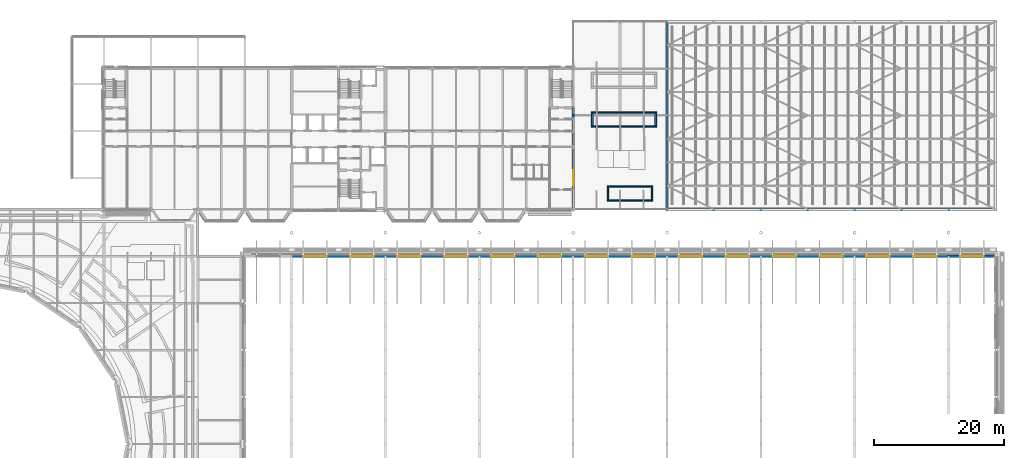
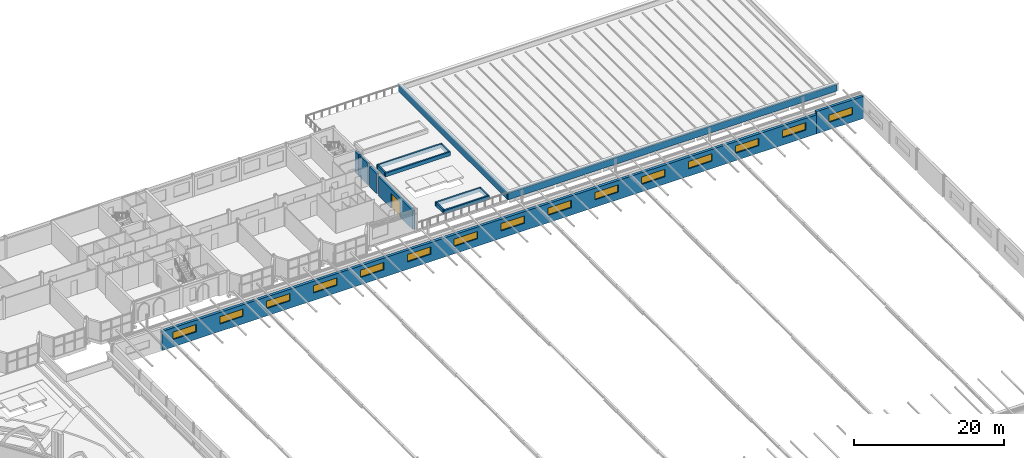
# One storey, part 46 of 110: 17 walls, 15 windows, 1 door, 16 openings.
"""IFC4 building model written with IfcOpenShell, lengths in metres."""

from ifc_helpers import new_model, si_unit, direction, frame, frame_2d, origin, place, context, subcontext, project, spatial, rectangle, extrude, material, layer, layer_set, type_object, element, fill, save


model = new_model("IFC4")

# Units and contexts
model_context = context("Model", 3, precision=1e-05, world=origin(), true_north=direction((0.0, 1.0)))
body_context = subcontext(model_context, "Body", "Model", "MODEL_VIEW")
ifc_project = project(units=[si_unit("LENGTHUNIT", "METRE"), si_unit("AREAUNIT", "SQUARE_METRE"), si_unit("VOLUMEUNIT", "CUBIC_METRE"), si_unit("PLANEANGLEUNIT", "RADIAN"), si_unit("MASSUNIT", "GRAM", prefix="KILO")], contexts=[model_context])

# Site, building, storey
site_placement = place(None, origin())
site = spatial("IfcSite", under=ifc_project, at=site_placement, CompositionType="ELEMENT")
building_placement = place(site_placement, origin())
building = spatial("IfcBuilding", under=site, at=building_placement, Name="Kupolbacken Congress Centre", CompositionType="ELEMENT")
storey_placement = place(building_placement, frame((0.0, 0.0, 18.0)))
storey = spatial("IfcBuildingStorey", under=building, at=storey_placement, Name="L05", CompositionType="ELEMENT", Elevation=18.0)

# Wall, opening, door
ifc_material_1 = material(Name="Brick", Category="masonry")
ifc_layer_1 = layer(ifc_material_1, 0.10791015625)
ifc_material_2 = material(Name="Air cavity", Category="air")
ifc_layer_2 = layer(ifc_material_2, 0.050048828125, ventilated=True)
ifc_material_3 = material(Name="Mineral wool", Category="insulation")
ifc_layer_3 = layer(ifc_material_3, 0.1298828125)
ifc_material_4 = material(Name="Steel studs", Category="metal")
ifc_layer_4 = layer(ifc_material_4, 0.052001953125)
ifc_layer_set_1 = layer_set([ifc_layer_1, ifc_layer_2, ifc_layer_3, ifc_layer_4], Name="Brick / Mineral wool / Steel studs")
wall_type_1 = type_object("IfcWallType", Name="EW02 external cavity wall 340", PredefinedType="SOLIDWALL", material=ifc_layer_set_1)
wall_1_placement = place(storey_placement, frame((136.800048828125, 122.625, 0.0), z_axis=(0.0, 0.0, 1.0), x_axis=(0.0, 1.0, 0.0)))
wall_1 = element("IfcWall", 1, at=wall_1_placement, inside=storey, type_object=wall_type_1, Name="E/T/E/L05/061", PredefinedType="SOLIDWALL", context=body_context, shape_type="SweptSolid", body=[
    extrude(rectangle(XDim=9.14990234375, YDim=0.340087890625, at=frame_2d((4.574951171875, 0.0))), origin(), (0.0, 0.0, 1.0), 3.06005859375),
])
opening_1_placement = place(wall_1_placement, frame((3.375, 0.0, 0.0)))
opening_1 = element("IfcOpeningElement", 2, at=opening_1_placement, cuts=wall_1, Name="Opening D18", PredefinedType="OPENING", context=body_context, shape_type="SweptSolid", body=[
    extrude(rectangle(XDim=2.39990234375, YDim=2.39990234375, at=frame_2d((1.199951171875, 1.199951171875))), frame((0.0, 0.179931640625, 0.0), z_axis=(0.0, -1.0, 0.0), x_axis=(1.0, 0.0, 0.0)), (0.0, 0.0, 1.0), 0.360107421875),
])
ifc_material_5 = material(Name="Timber door leaf", Category="wood")
door_type = type_object("IfcDoorType", Name="D18 door 2400x2400", OperationType="DOUBLE_DOOR_SINGLE_SWING", PredefinedType="DOOR", material=ifc_material_5)
door_placement = place(opening_1_placement, frame((2.39990234375, 0.0, 0.0), z_axis=(0.0, 0.0, 1.0), x_axis=(-1.0, 0.0, 0.0)))
door = element("IfcDoor", 3, at=door_placement, inside=storey, type_object=door_type, Name="E/T/E/L05/061/DTD-BF", OperationType="DOUBLE_DOOR_SINGLE_SWING", OverallHeight=2.39990234375, OverallWidth=2.39990234375, PredefinedType="DOOR", context=body_context, shape_type="SweptSolid", body=[
    extrude(rectangle(XDim=2.39990234375, YDim=2.39990234375, at=frame_2d((1.199951171875, 1.199951171875))), frame((0.0, 0.02490234375, 0.0), z_axis=(0.0, -1.0, 0.0), x_axis=(1.0, 0.0, 0.0)), (0.0, 0.0, 1.0), 0.050048828125),
])
fill(opening_1, door)

# Walls
wall_2_placement = place(storey_placement, frame((136.800048828125, 132.22509765625, 0.0), z_axis=(0.0, 0.0, 1.0), x_axis=(0.0, 1.0, 0.0)))
element("IfcWall", 4, at=wall_2_placement, inside=storey, type_object=wall_type_1, Name="E/T/E/L05/062", PredefinedType="SOLIDWALL", context=body_context, shape_type="SweptSolid", body=[
    extrude(rectangle(XDim=1.949951171875, YDim=0.340087890625, at=frame_2d((0.97509765625, 0.0))), origin(), (0.0, 0.0, 1.0), 3.260009765625),
])
wall_3_placement = place(storey_placement, frame((136.800048828125, 134.625, 0.0), z_axis=(0.0, 0.0, 1.0), x_axis=(0.0, 1.0, 0.0)))
element("IfcWall", 5, at=wall_3_placement, inside=storey, type_object=wall_type_1, Name="E/T/E/L05/063", PredefinedType="SOLIDWALL", context=body_context, shape_type="SweptSolid", body=[
    extrude(rectangle(XDim=1.949951171875, YDim=0.340087890625, at=frame_2d((0.97509765625, 0.0))), origin(), (0.0, 0.0, 1.0), 3.4599609375),
])
wall_4_placement = place(storey_placement, frame((136.800048828125, 137.02490234375, 0.0), z_axis=(0.0, 0.0, 1.0), x_axis=(0.0, 1.0, 0.0)))
element("IfcWall", 6, at=wall_4_placement, inside=storey, type_object=wall_type_1, Name="E/T/E/L05/064", PredefinedType="SOLIDWALL", context=body_context, shape_type="SweptSolid", body=[
    extrude(rectangle(XDim=0.97509765625, YDim=0.340087890625, at=frame_2d((0.487548828125, 0.0))), origin(), (0.0, 0.0, 1.0), 3.4599609375),
])
wall_5_placement = place(storey_placement, frame((136.800048828125, 136.574951171875, 0.0), z_axis=(0.0, 0.0, 1.0), x_axis=(0.0, 1.0, 0.0)))
element("IfcWall", 7, at=wall_5_placement, inside=storey, type_object=wall_type_1, Name="E/T/gapfill/E/L05/001", PredefinedType="SOLIDWALL", context=body_context, shape_type="SweptSolid", body=[
    extrude(rectangle(XDim=0.449951171875, YDim=0.340087890625, at=frame_2d((0.22509765625, 0.0))), origin(), (0.0, 0.0, 1.0), 3.4599609375),
])

# Wall, opening, window
ifc_layer_5 = layer(ifc_material_1, 0.10791015625)
ifc_layer_6 = layer(ifc_material_2, 0.0400390625, ventilated=True)
ifc_layer_7 = layer(ifc_material_3, 0.152099609375)
ifc_material_6 = material(Name="Concrete block", Category="masonry")
ifc_layer_8 = layer(ifc_material_6, 0.1201171875)
ifc_layer_set_2 = layer_set([ifc_layer_5, ifc_layer_6, ifc_layer_7, ifc_layer_8], Name="Brick / Mineral wool / Concrete block")
wall_type_2 = type_object("IfcWallType", Name="EW04 external cavity wall 420", PredefinedType="SOLIDWALL", material=ifc_layer_set_2)
wall_6_placement = place(storey_placement, frame((201.449951171875, 115.199951171875, 0.0), z_axis=(0.0, 0.0, 1.0), x_axis=(-1.0, 0.0, 0.0)))
wall_6 = element("IfcWall", 8, at=wall_6_placement, inside=storey, type_object=wall_type_2, Name="E/H/N/L05/467", PredefinedType="SOLIDWALL", context=body_context, shape_type="SweptSolid", body=[
    extrude(rectangle(XDim=7.195068359375, YDim=0.419921875, at=frame_2d((3.59765625, 0.0))), origin(), (0.0, 0.0, 1.0), 3.60009765625),
])
opening_2_placement = place(wall_6_placement, frame((1.64990234375, 0.0, 1.199951171875)))
opening_2 = element("IfcOpeningElement", 9, at=opening_2_placement, cuts=wall_6, Name="Opening W12", PredefinedType="OPENING", context=body_context, shape_type="SweptSolid", body=[
    extrude(rectangle(XDim=3.60009765625, YDim=1.199951171875, at=frame_2d((1.800048828125, 0.60009765625))), frame((0.0, 0.219970703125, 0.0), z_axis=(0.0, -1.0, 0.0), x_axis=(1.0, 0.0, 0.0)), (0.0, 0.0, 1.0), 0.43994140625),
])
ifc_material_7 = material(Name="Aluminium frame with double or triple glazing", Category="aluminium")
window_type = type_object("IfcWindowType", Name="W12 window 3600x1200", PartitioningType="TRIPLE_PANEL_VERTICAL", PredefinedType="WINDOW", material=ifc_material_7)
window_1_placement = place(opening_2_placement, origin())
window_1 = element("IfcWindow", 10, at=window_1_placement, inside=storey, type_object=window_type, Name="E/H/N/L05/467/W16", OverallHeight=1.199951171875, OverallWidth=3.60009765625, PartitioningType="SINGLE_PANEL", PredefinedType="WINDOW", context=body_context, shape_type="SweptSolid", body=[
    extrude(rectangle(XDim=3.60009765625, YDim=1.199951171875, at=frame_2d((1.800048828125, 0.60009765625))), frame((0.0, 0.030029296875, 0.0), z_axis=(0.0, -1.0, 0.0), x_axis=(1.0, 0.0, 0.0)), (0.0, 0.0, 1.0), 0.06005859375),
])
fill(opening_2, window_1)

# Wall, openings, windows
wall_7_placement = place(storey_placement, frame((194.2548828125, 115.199951171875, 0.0), z_axis=(0.0, 0.0, 1.0), x_axis=(-1.0, 0.0, 0.0)))
wall_7 = element("IfcWall", 11, at=wall_7_placement, inside=storey, type_object=wall_type_2, Name="E/H/N/L05/467.h1", PredefinedType="SOLIDWALL", context=body_context, shape_type="SweptSolid", body=[
    extrude(rectangle(XDim=100.509765625, YDim=0.419921875, at=frame_2d((50.2548828125, 0.0))), origin(), (0.0, 0.0, 1.0), 3.10009765625),
])
opening_3_placement = place(wall_7_placement, frame((95.2548828125, 0.0, 1.199951171875)))
opening_3 = element("IfcOpeningElement", 12, at=opening_3_placement, cuts=wall_7, Name="Opening W12", PredefinedType="OPENING", context=body_context, shape_type="SweptSolid", body=[
    extrude(rectangle(XDim=3.60009765625, YDim=1.199951171875, at=frame_2d((1.800048828125, 0.60009765625))), frame((0.0, 0.219970703125, 0.0), z_axis=(0.0, -1.0, 0.0), x_axis=(1.0, 0.0, 0.0)), (0.0, 0.0, 1.0), 0.43994140625),
])
opening_4_placement = place(wall_7_placement, frame((88.054931640625, 0.0, 1.199951171875)))
opening_4 = element("IfcOpeningElement", 13, at=opening_4_placement, cuts=wall_7, Name="Opening W12", PredefinedType="OPENING", context=body_context, shape_type="SweptSolid", body=[
    extrude(rectangle(XDim=3.60009765625, YDim=1.199951171875, at=frame_2d((1.800048828125, 0.60009765625))), frame((0.0, 0.219970703125, 0.0), z_axis=(0.0, -1.0, 0.0), x_axis=(1.0, 0.0, 0.0)), (0.0, 0.0, 1.0), 0.43994140625),
])
opening_5_placement = place(wall_7_placement, frame((80.85498046875, 0.0, 1.199951171875)))
opening_5 = element("IfcOpeningElement", 14, at=opening_5_placement, cuts=wall_7, Name="Opening W12", PredefinedType="OPENING", context=body_context, shape_type="SweptSolid", body=[
    extrude(rectangle(XDim=3.60009765625, YDim=1.199951171875, at=frame_2d((1.800048828125, 0.60009765625))), frame((0.0, 0.219970703125, 0.0), z_axis=(0.0, -1.0, 0.0), x_axis=(1.0, 0.0, 0.0)), (0.0, 0.0, 1.0), 0.43994140625),
])
opening_6_placement = place(wall_7_placement, frame((73.655029296875, 0.0, 1.199951171875)))
opening_6 = element("IfcOpeningElement", 15, at=opening_6_placement, cuts=wall_7, Name="Opening W12", PredefinedType="OPENING", context=body_context, shape_type="SweptSolid", body=[
    extrude(rectangle(XDim=3.60009765625, YDim=1.199951171875, at=frame_2d((1.800048828125, 0.60009765625))), frame((0.0, 0.219970703125, 0.0), z_axis=(0.0, -1.0, 0.0), x_axis=(1.0, 0.0, 0.0)), (0.0, 0.0, 1.0), 0.43994140625),
])
opening_7_placement = place(wall_7_placement, frame((66.455078125, 0.0, 1.199951171875)))
opening_7 = element("IfcOpeningElement", 16, at=opening_7_placement, cuts=wall_7, Name="Opening W12", PredefinedType="OPENING", context=body_context, shape_type="SweptSolid", body=[
    extrude(rectangle(XDim=3.60009765625, YDim=1.199951171875, at=frame_2d((1.800048828125, 0.60009765625))), frame((0.0, 0.219970703125, 0.0), z_axis=(0.0, -1.0, 0.0), x_axis=(1.0, 0.0, 0.0)), (0.0, 0.0, 1.0), 0.43994140625),
])
opening_8_placement = place(wall_7_placement, frame((59.2548828125, 0.0, 1.199951171875)))
opening_8 = element("IfcOpeningElement", 17, at=opening_8_placement, cuts=wall_7, Name="Opening W12", PredefinedType="OPENING", context=body_context, shape_type="SweptSolid", body=[
    extrude(rectangle(XDim=3.60009765625, YDim=1.199951171875, at=frame_2d((1.800048828125, 0.60009765625))), frame((0.0, 0.219970703125, 0.0), z_axis=(0.0, -1.0, 0.0), x_axis=(1.0, 0.0, 0.0)), (0.0, 0.0, 1.0), 0.43994140625),
])
opening_9_placement = place(wall_7_placement, frame((52.054931640625, 0.0, 1.199951171875)))
opening_9 = element("IfcOpeningElement", 18, at=opening_9_placement, cuts=wall_7, Name="Opening W12", PredefinedType="OPENING", context=body_context, shape_type="SweptSolid", body=[
    extrude(rectangle(XDim=3.60009765625, YDim=1.199951171875, at=frame_2d((1.800048828125, 0.60009765625))), frame((0.0, 0.219970703125, 0.0), z_axis=(0.0, -1.0, 0.0), x_axis=(1.0, 0.0, 0.0)), (0.0, 0.0, 1.0), 0.43994140625),
])
opening_10_placement = place(wall_7_placement, frame((44.85498046875, 0.0, 1.199951171875)))
opening_10 = element("IfcOpeningElement", 19, at=opening_10_placement, cuts=wall_7, Name="Opening W12", PredefinedType="OPENING", context=body_context, shape_type="SweptSolid", body=[
    extrude(rectangle(XDim=3.60009765625, YDim=1.199951171875, at=frame_2d((1.800048828125, 0.60009765625))), frame((0.0, 0.219970703125, 0.0), z_axis=(0.0, -1.0, 0.0), x_axis=(1.0, 0.0, 0.0)), (0.0, 0.0, 1.0), 0.43994140625),
])
opening_11_placement = place(wall_7_placement, frame((37.655029296875, 0.0, 1.199951171875)))
opening_11 = element("IfcOpeningElement", 20, at=opening_11_placement, cuts=wall_7, Name="Opening W12", PredefinedType="OPENING", context=body_context, shape_type="SweptSolid", body=[
    extrude(rectangle(XDim=3.60009765625, YDim=1.199951171875, at=frame_2d((1.800048828125, 0.60009765625))), frame((0.0, 0.219970703125, 0.0), z_axis=(0.0, -1.0, 0.0), x_axis=(1.0, 0.0, 0.0)), (0.0, 0.0, 1.0), 0.43994140625),
])
opening_12_placement = place(wall_7_placement, frame((30.455078125, 0.0, 1.199951171875)))
opening_12 = element("IfcOpeningElement", 21, at=opening_12_placement, cuts=wall_7, Name="Opening W12", PredefinedType="OPENING", context=body_context, shape_type="SweptSolid", body=[
    extrude(rectangle(XDim=3.60009765625, YDim=1.199951171875, at=frame_2d((1.800048828125, 0.60009765625))), frame((0.0, 0.219970703125, 0.0), z_axis=(0.0, -1.0, 0.0), x_axis=(1.0, 0.0, 0.0)), (0.0, 0.0, 1.0), 0.43994140625),
])
opening_13_placement = place(wall_7_placement, frame((23.2548828125, 0.0, 1.199951171875)))
opening_13 = element("IfcOpeningElement", 22, at=opening_13_placement, cuts=wall_7, Name="Opening W12", PredefinedType="OPENING", context=body_context, shape_type="SweptSolid", body=[
    extrude(rectangle(XDim=3.60009765625, YDim=1.199951171875, at=frame_2d((1.800048828125, 0.60009765625))), frame((0.0, 0.219970703125, 0.0), z_axis=(0.0, -1.0, 0.0), x_axis=(1.0, 0.0, 0.0)), (0.0, 0.0, 1.0), 0.43994140625),
])
opening_14_placement = place(wall_7_placement, frame((16.054931640625, 0.0, 1.199951171875)))
opening_14 = element("IfcOpeningElement", 23, at=opening_14_placement, cuts=wall_7, Name="Opening W12", PredefinedType="OPENING", context=body_context, shape_type="SweptSolid", body=[
    extrude(rectangle(XDim=3.60009765625, YDim=1.199951171875, at=frame_2d((1.800048828125, 0.60009765625))), frame((0.0, 0.219970703125, 0.0), z_axis=(0.0, -1.0, 0.0), x_axis=(1.0, 0.0, 0.0)), (0.0, 0.0, 1.0), 0.43994140625),
])
opening_15_placement = place(wall_7_placement, frame((8.85498046875, 0.0, 1.199951171875)))
opening_15 = element("IfcOpeningElement", 24, at=opening_15_placement, cuts=wall_7, Name="Opening W12", PredefinedType="OPENING", context=body_context, shape_type="SweptSolid", body=[
    extrude(rectangle(XDim=3.60009765625, YDim=1.199951171875, at=frame_2d((1.800048828125, 0.60009765625))), frame((0.0, 0.219970703125, 0.0), z_axis=(0.0, -1.0, 0.0), x_axis=(1.0, 0.0, 0.0)), (0.0, 0.0, 1.0), 0.43994140625),
])
opening_16_placement = place(wall_7_placement, frame((1.655029296875, 0.0, 1.199951171875)))
opening_16 = element("IfcOpeningElement", 25, at=opening_16_placement, cuts=wall_7, Name="Opening W12", PredefinedType="OPENING", context=body_context, shape_type="SweptSolid", body=[
    extrude(rectangle(XDim=3.60009765625, YDim=1.199951171875, at=frame_2d((1.800048828125, 0.60009765625))), frame((0.0, 0.219970703125, 0.0), z_axis=(0.0, -1.0, 0.0), x_axis=(1.0, 0.0, 0.0)), (0.0, 0.0, 1.0), 0.43994140625),
])
window_2_placement = place(opening_3_placement, origin())
window_2 = element("IfcWindow", 26, at=window_2_placement, inside=storey, type_object=window_type, Name="E/H/N/L05/467/W2", OverallHeight=1.199951171875, OverallWidth=3.60009765625, PartitioningType="SINGLE_PANEL", PredefinedType="WINDOW", context=body_context, shape_type="SweptSolid", body=[
    extrude(rectangle(XDim=3.60009765625, YDim=1.199951171875, at=frame_2d((1.800048828125, 0.60009765625))), frame((0.0, 0.030029296875, 0.0), z_axis=(0.0, -1.0, 0.0), x_axis=(1.0, 0.0, 0.0)), (0.0, 0.0, 1.0), 0.06005859375),
])
fill(opening_3, window_2)
window_3_placement = place(opening_4_placement, origin())
window_3 = element("IfcWindow", 27, at=window_3_placement, inside=storey, type_object=window_type, Name="E/H/N/L05/467/W3", OverallHeight=1.199951171875, OverallWidth=3.60009765625, PartitioningType="SINGLE_PANEL", PredefinedType="WINDOW", context=body_context, shape_type="SweptSolid", body=[
    extrude(rectangle(XDim=3.60009765625, YDim=1.199951171875, at=frame_2d((1.800048828125, 0.60009765625))), frame((0.0, 0.030029296875, 0.0), z_axis=(0.0, -1.0, 0.0), x_axis=(1.0, 0.0, 0.0)), (0.0, 0.0, 1.0), 0.06005859375),
])
fill(opening_4, window_3)
window_4_placement = place(opening_5_placement, origin())
window_4 = element("IfcWindow", 28, at=window_4_placement, inside=storey, type_object=window_type, Name="E/H/N/L05/467/W4", OverallHeight=1.199951171875, OverallWidth=3.60009765625, PartitioningType="SINGLE_PANEL", PredefinedType="WINDOW", context=body_context, shape_type="SweptSolid", body=[
    extrude(rectangle(XDim=3.60009765625, YDim=1.199951171875, at=frame_2d((1.800048828125, 0.60009765625))), frame((0.0, 0.030029296875, 0.0), z_axis=(0.0, -1.0, 0.0), x_axis=(1.0, 0.0, 0.0)), (0.0, 0.0, 1.0), 0.06005859375),
])
fill(opening_5, window_4)
window_5_placement = place(opening_6_placement, origin())
window_5 = element("IfcWindow", 29, at=window_5_placement, inside=storey, type_object=window_type, Name="E/H/N/L05/467/W5", OverallHeight=1.199951171875, OverallWidth=3.60009765625, PartitioningType="SINGLE_PANEL", PredefinedType="WINDOW", context=body_context, shape_type="SweptSolid", body=[
    extrude(rectangle(XDim=3.60009765625, YDim=1.199951171875, at=frame_2d((1.800048828125, 0.60009765625))), frame((0.0, 0.030029296875, 0.0), z_axis=(0.0, -1.0, 0.0), x_axis=(1.0, 0.0, 0.0)), (0.0, 0.0, 1.0), 0.06005859375),
])
fill(opening_6, window_5)
window_6_placement = place(opening_7_placement, origin())
window_6 = element("IfcWindow", 30, at=window_6_placement, inside=storey, type_object=window_type, Name="E/H/N/L05/467/W6", OverallHeight=1.199951171875, OverallWidth=3.60009765625, PartitioningType="SINGLE_PANEL", PredefinedType="WINDOW", context=body_context, shape_type="SweptSolid", body=[
    extrude(rectangle(XDim=3.60009765625, YDim=1.199951171875, at=frame_2d((1.800048828125, 0.60009765625))), frame((0.0, 0.030029296875, 0.0), z_axis=(0.0, -1.0, 0.0), x_axis=(1.0, 0.0, 0.0)), (0.0, 0.0, 1.0), 0.06005859375),
])
fill(opening_7, window_6)
window_7_placement = place(opening_8_placement, origin())
window_7 = element("IfcWindow", 31, at=window_7_placement, inside=storey, type_object=window_type, Name="E/H/N/L05/467/W7", OverallHeight=1.199951171875, OverallWidth=3.60009765625, PartitioningType="SINGLE_PANEL", PredefinedType="WINDOW", context=body_context, shape_type="SweptSolid", body=[
    extrude(rectangle(XDim=3.60009765625, YDim=1.199951171875, at=frame_2d((1.800048828125, 0.60009765625))), frame((0.0, 0.030029296875, 0.0), z_axis=(0.0, -1.0, 0.0), x_axis=(1.0, 0.0, 0.0)), (0.0, 0.0, 1.0), 0.06005859375),
])
fill(opening_8, window_7)
window_8_placement = place(opening_9_placement, origin())
window_8 = element("IfcWindow", 32, at=window_8_placement, inside=storey, type_object=window_type, Name="E/H/N/L05/467/W8", OverallHeight=1.199951171875, OverallWidth=3.60009765625, PartitioningType="SINGLE_PANEL", PredefinedType="WINDOW", context=body_context, shape_type="SweptSolid", body=[
    extrude(rectangle(XDim=3.60009765625, YDim=1.199951171875, at=frame_2d((1.800048828125, 0.60009765625))), frame((0.0, 0.030029296875, 0.0), z_axis=(0.0, -1.0, 0.0), x_axis=(1.0, 0.0, 0.0)), (0.0, 0.0, 1.0), 0.06005859375),
])
fill(opening_9, window_8)
window_9_placement = place(opening_10_placement, origin())
window_9 = element("IfcWindow", 33, at=window_9_placement, inside=storey, type_object=window_type, Name="E/H/N/L05/467/W9", OverallHeight=1.199951171875, OverallWidth=3.60009765625, PartitioningType="SINGLE_PANEL", PredefinedType="WINDOW", context=body_context, shape_type="SweptSolid", body=[
    extrude(rectangle(XDim=3.60009765625, YDim=1.199951171875, at=frame_2d((1.800048828125, 0.60009765625))), frame((0.0, 0.030029296875, 0.0), z_axis=(0.0, -1.0, 0.0), x_axis=(1.0, 0.0, 0.0)), (0.0, 0.0, 1.0), 0.06005859375),
])
fill(opening_10, window_9)
window_10_placement = place(opening_11_placement, origin())
window_10 = element("IfcWindow", 34, at=window_10_placement, inside=storey, type_object=window_type, Name="E/H/N/L05/467/W10", OverallHeight=1.199951171875, OverallWidth=3.60009765625, PartitioningType="SINGLE_PANEL", PredefinedType="WINDOW", context=body_context, shape_type="SweptSolid", body=[
    extrude(rectangle(XDim=3.60009765625, YDim=1.199951171875, at=frame_2d((1.800048828125, 0.60009765625))), frame((0.0, 0.030029296875, 0.0), z_axis=(0.0, -1.0, 0.0), x_axis=(1.0, 0.0, 0.0)), (0.0, 0.0, 1.0), 0.06005859375),
])
fill(opening_11, window_10)
window_11_placement = place(opening_12_placement, origin())
window_11 = element("IfcWindow", 35, at=window_11_placement, inside=storey, type_object=window_type, Name="E/H/N/L05/467/W11", OverallHeight=1.199951171875, OverallWidth=3.60009765625, PartitioningType="SINGLE_PANEL", PredefinedType="WINDOW", context=body_context, shape_type="SweptSolid", body=[
    extrude(rectangle(XDim=3.60009765625, YDim=1.199951171875, at=frame_2d((1.800048828125, 0.60009765625))), frame((0.0, 0.030029296875, 0.0), z_axis=(0.0, -1.0, 0.0), x_axis=(1.0, 0.0, 0.0)), (0.0, 0.0, 1.0), 0.06005859375),
])
fill(opening_12, window_11)
window_12_placement = place(opening_13_placement, origin())
window_12 = element("IfcWindow", 36, at=window_12_placement, inside=storey, type_object=window_type, Name="E/H/N/L05/467/W12", OverallHeight=1.199951171875, OverallWidth=3.60009765625, PartitioningType="SINGLE_PANEL", PredefinedType="WINDOW", context=body_context, shape_type="SweptSolid", body=[
    extrude(rectangle(XDim=3.60009765625, YDim=1.199951171875, at=frame_2d((1.800048828125, 0.60009765625))), frame((0.0, 0.030029296875, 0.0), z_axis=(0.0, -1.0, 0.0), x_axis=(1.0, 0.0, 0.0)), (0.0, 0.0, 1.0), 0.06005859375),
])
fill(opening_13, window_12)
window_13_placement = place(opening_14_placement, origin())
window_13 = element("IfcWindow", 37, at=window_13_placement, inside=storey, type_object=window_type, Name="E/H/N/L05/467/W13", OverallHeight=1.199951171875, OverallWidth=3.60009765625, PartitioningType="SINGLE_PANEL", PredefinedType="WINDOW", context=body_context, shape_type="SweptSolid", body=[
    extrude(rectangle(XDim=3.60009765625, YDim=1.199951171875, at=frame_2d((1.800048828125, 0.60009765625))), frame((0.0, 0.030029296875, 0.0), z_axis=(0.0, -1.0, 0.0), x_axis=(1.0, 0.0, 0.0)), (0.0, 0.0, 1.0), 0.06005859375),
])
fill(opening_14, window_13)
window_14_placement = place(opening_15_placement, origin())
window_14 = element("IfcWindow", 38, at=window_14_placement, inside=storey, type_object=window_type, Name="E/H/N/L05/467/W14", OverallHeight=1.199951171875, OverallWidth=3.60009765625, PartitioningType="SINGLE_PANEL", PredefinedType="WINDOW", context=body_context, shape_type="SweptSolid", body=[
    extrude(rectangle(XDim=3.60009765625, YDim=1.199951171875, at=frame_2d((1.800048828125, 0.60009765625))), frame((0.0, 0.030029296875, 0.0), z_axis=(0.0, -1.0, 0.0), x_axis=(1.0, 0.0, 0.0)), (0.0, 0.0, 1.0), 0.06005859375),
])
fill(opening_15, window_14)
window_15_placement = place(opening_16_placement, origin())
window_15 = element("IfcWindow", 39, at=window_15_placement, inside=storey, type_object=window_type, Name="E/H/N/L05/467/W15", OverallHeight=1.199951171875, OverallWidth=3.60009765625, PartitioningType="SINGLE_PANEL", PredefinedType="WINDOW", context=body_context, shape_type="SweptSolid", body=[
    extrude(rectangle(XDim=3.60009765625, YDim=1.199951171875, at=frame_2d((1.800048828125, 0.60009765625))), frame((0.0, 0.030029296875, 0.0), z_axis=(0.0, -1.0, 0.0), x_axis=(1.0, 0.0, 0.0)), (0.0, 0.0, 1.0), 0.06005859375),
])
fill(opening_16, window_15)

# Walls
ifc_material_8 = material(Name="Concrete C30/37", Category="concrete")
ifc_layer_9 = layer(ifc_material_8, 0.25)
ifc_layer_set_3 = layer_set([ifc_layer_9], Name="Concrete C30/37")
wall_type_3 = type_object("IfcWallType", Name="PT1 planter wall 250", PredefinedType="SOLIDWALL", material=ifc_layer_set_3)
wall_8_placement = place(storey_placement, frame((142.0, 123.72509765625, 0.0), z_axis=(0.0, 0.0, 1.0), x_axis=(1.0, 0.0, 0.0)))
element("IfcWall", 40, at=wall_8_placement, inside=storey, type_object=wall_type_3, Name="Planter wall", PredefinedType="SOLIDWALL", context=body_context, shape_type="SweptSolid", body=[
    extrude(rectangle(XDim=7.0, YDim=0.25, at=frame_2d((3.5, 0.0))), origin(), (0.0, 0.0, 1.0), 0.60009765625),
])
wall_9_placement = place(storey_placement, frame((148.875, 123.85009765625, 0.0), z_axis=(0.0, 0.0, 1.0), x_axis=(0.0, 1.0, 0.0)))
element("IfcWall", 41, at=wall_9_placement, inside=storey, type_object=wall_type_3, Name="Planter wall", PredefinedType="SOLIDWALL", context=body_context, shape_type="SweptSolid", body=[
    extrude(rectangle(XDim=1.89990234375, YDim=0.25, at=frame_2d((0.949951171875, 0.0))), origin(), (0.0, 0.0, 1.0), 0.60009765625),
])
wall_10_placement = place(storey_placement, frame((149.0, 125.875, 0.0), z_axis=(0.0, 0.0, 1.0), x_axis=(-1.0, 0.0, 0.0)))
element("IfcWall", 42, at=wall_10_placement, inside=storey, type_object=wall_type_3, Name="Planter wall", PredefinedType="SOLIDWALL", context=body_context, shape_type="SweptSolid", body=[
    extrude(rectangle(XDim=7.0, YDim=0.25, at=frame_2d((3.5, 0.0))), origin(), (0.0, 0.0, 1.0), 0.60009765625),
])
wall_11_placement = place(storey_placement, frame((142.125, 125.75, 0.0), z_axis=(0.0, 0.0, 1.0), x_axis=(0.0, -1.0, 0.0)))
element("IfcWall", 43, at=wall_11_placement, inside=storey, type_object=wall_type_3, Name="Planter wall", PredefinedType="SOLIDWALL", context=body_context, shape_type="SweptSolid", body=[
    extrude(rectangle(XDim=1.89990234375, YDim=0.25, at=frame_2d((0.949951171875, 0.0))), origin(), (0.0, 0.0, 1.0), 0.60009765625),
])
wall_12_placement = place(storey_placement, frame((139.60009765625, 135.125, 0.0), z_axis=(0.0, 0.0, 1.0), x_axis=(1.0, 0.0, 0.0)))
element("IfcWall", 44, at=wall_12_placement, inside=storey, type_object=wall_type_3, Name="Planter wall", PredefinedType="SOLIDWALL", context=body_context, shape_type="SweptSolid", body=[
    extrude(rectangle(XDim=10.0, YDim=0.25, at=frame_2d((5.0, 0.0))), origin(), (0.0, 0.0, 1.0), 0.60009765625),
])
wall_13_placement = place(storey_placement, frame((149.47509765625, 135.25, 0.0), z_axis=(0.0, 0.0, 1.0), x_axis=(0.0, 1.0, 0.0)))
element("IfcWall", 45, at=wall_13_placement, inside=storey, type_object=wall_type_3, Name="Planter wall", PredefinedType="SOLIDWALL", context=body_context, shape_type="SweptSolid", body=[
    extrude(rectangle(XDim=1.89990234375, YDim=0.25, at=frame_2d((0.949951171875, 0.0))), origin(), (0.0, 0.0, 1.0), 0.60009765625),
])
wall_14_placement = place(storey_placement, frame((149.60009765625, 137.27490234375, 0.0), z_axis=(0.0, 0.0, 1.0), x_axis=(-1.0, 0.0, 0.0)))
element("IfcWall", 46, at=wall_14_placement, inside=storey, type_object=wall_type_3, Name="Planter wall", PredefinedType="SOLIDWALL", context=body_context, shape_type="SweptSolid", body=[
    extrude(rectangle(XDim=10.0, YDim=0.25, at=frame_2d((5.0, 0.0))), origin(), (0.0, 0.0, 1.0), 0.60009765625),
])
wall_15_placement = place(storey_placement, frame((139.72509765625, 137.14990234375, 0.0), z_axis=(0.0, 0.0, 1.0), x_axis=(0.0, -1.0, 0.0)))
element("IfcWall", 47, at=wall_15_placement, inside=storey, type_object=wall_type_3, Name="Planter wall", PredefinedType="SOLIDWALL", context=body_context, shape_type="SweptSolid", body=[
    extrude(rectangle(XDim=1.89990234375, YDim=0.25, at=frame_2d((0.949951171875, 0.0))), origin(), (0.0, 0.0, 1.0), 0.60009765625),
])
ifc_layer_10 = layer(ifc_material_1, 0.10791015625)
ifc_layer_11 = layer(ifc_material_6, 0.251953125)
ifc_layer_set_4 = layer_set([ifc_layer_10, ifc_layer_11], Name="Brick / Concrete block")
wall_type_4 = type_object("IfcWallType", Name="PW4 parapet 360", PredefinedType="PARAPET", material=ifc_layer_set_4)
wall_16_placement = place(storey_placement, frame((151.02001953125, 122.39990234375, 0.0), z_axis=(0.0, 0.0, 1.0), x_axis=(1.0, 0.0, 0.0)))
element("IfcWall", 48, at=wall_16_placement, inside=storey, type_object=wall_type_4, Name="E/roof/ballroom/01", PredefinedType="PARAPET", context=body_context, shape_type="SweptSolid", body=[
    extrude(rectangle(XDim=50.580078125, YDim=0.360107421875, at=frame_2d((25.2900390625, 0.0))), origin(), (0.0, 0.0, 1.0), 1.10009765625),
])
wall_17_placement = place(storey_placement, frame((151.199951171875, 151.3798828125, 0.0), z_axis=(0.0, 0.0, 1.0), x_axis=(0.0, -1.0, 0.0)))
element("IfcWall", 49, at=wall_17_placement, inside=storey, type_object=wall_type_4, Name="E/roof/ballroom/04", PredefinedType="PARAPET", context=body_context, shape_type="SweptSolid", body=[
    extrude(rectangle(XDim=28.97998046875, YDim=0.360107421875, at=frame_2d((14.489990234375, 0.0))), origin(), (0.0, 0.0, 1.0), 1.10009765625),
])

save(model, "model.ifc")
